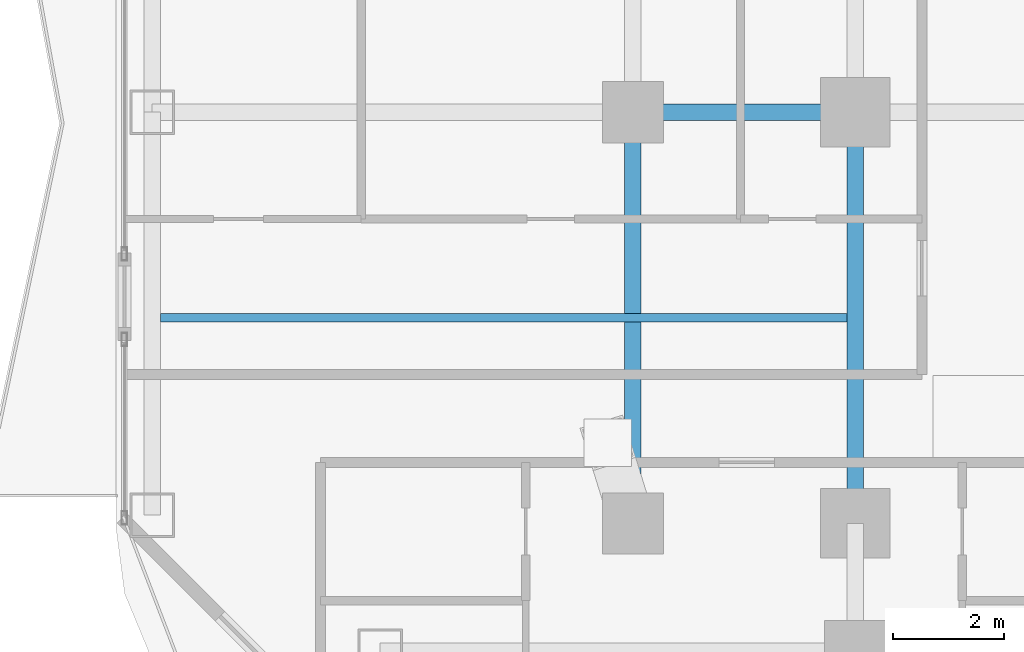
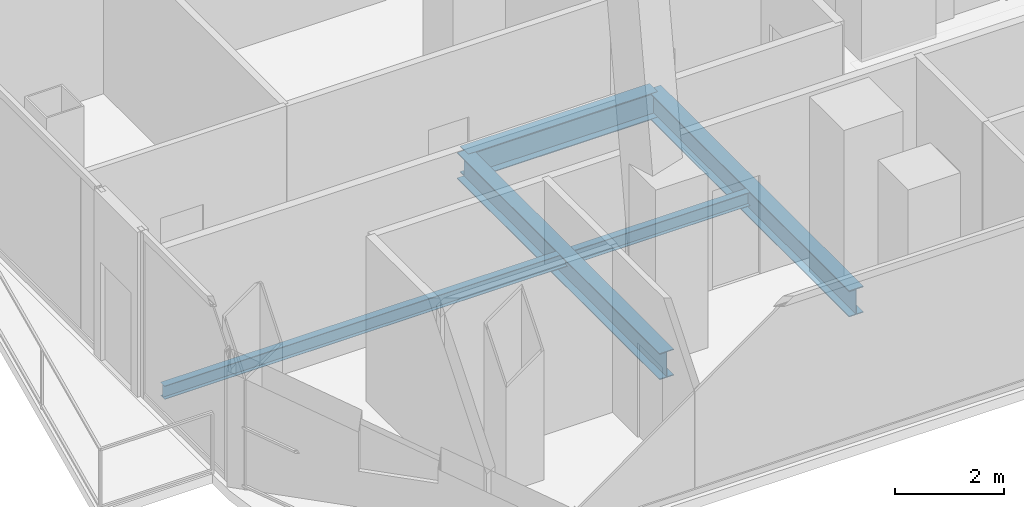
# One storey, part 4 of 32: 4 beams.
"""IFC4 building model written with IfcOpenShell, lengths in metres."""

from ifc_helpers import new_model, si_unit, direction, frame, origin, origin_2d, place, context, subcontext, project, spatial, i_section, extrude, material, material_profile, profile_set, type_object, element, save


model = new_model("IFC4")

# Units and contexts
model_context = context("Model", 3, precision=1e-05, world=origin(), true_north=direction((0.0, 1.0)))
body_context = subcontext(model_context, "Body", "Model", "MODEL_VIEW")
ifc_project = project(units=[si_unit("LENGTHUNIT", "METRE"), si_unit("AREAUNIT", "SQUARE_METRE"), si_unit("VOLUMEUNIT", "CUBIC_METRE"), si_unit("PLANEANGLEUNIT", "RADIAN"), si_unit("MASSUNIT", "GRAM", prefix="KILO")], contexts=[model_context])

# Site, building, storey
site_placement = place(None, origin())
site = spatial("IfcSite", under=ifc_project, at=site_placement, CompositionType="ELEMENT")
building_placement = place(site_placement, origin())
building = spatial("IfcBuilding", under=site, at=building_placement, Name="Khorvyn Point Tower", CompositionType="ELEMENT")
storey_placement = place(building_placement, frame((0.0, 0.0, 93.0)))
storey = spatial("IfcBuildingStorey", under=building, at=storey_placement, Name="L23", CompositionType="ELEMENT", Elevation=93.0)

# Beams
ifc_material = material(Name="Steel S355", Category="steel")
ifc_material_profile_1 = material_profile(ifc_material, i_section(OverallWidth=0.300048828125, OverallDepth=0.587890625, WebThickness=0.011962890625, FlangeThickness=0.02001953125, at=origin_2d()))
ifc_profile_set_1 = profile_set([ifc_material_profile_1], Name="Steel S355 H588x300x12x20")
beam_type_1 = type_object("IfcBeamType", Name="Steel S355 Beam H588x300x12x20", PredefinedType="BEAM", material=ifc_profile_set_1)
beam_1_placement = place(storey_placement, frame((-18.800048828125, -7.39990234375, -0.513916015625), z_axis=(1.0, 0.0, 0.0), x_axis=(0.0, 1.0, 0.0)))
element("IfcBeam", 1, at=beam_1_placement, inside=storey, type_object=beam_type_1, Name="Beam", PredefinedType="BEAM", context=body_context, shape_type="SweptSolid", body=[
    extrude(i_section(OverallWidth=0.300048828125, OverallDepth=0.587890625, WebThickness=0.011962890625, FlangeThickness=0.02001953125, at=origin_2d()), origin(), (0.0, 0.0, 1.0), 4.0),
])
for number, where, z_axis, x_axis, name in (
    (2, (-14.800048828125, -14.800048828125, -0.513916015625), (0.0, 1.0, 0.0), (-1.0, 0.0, 0.0), "Beam"),
    (3, (-18.800048828125, -14.800048828125, -0.513916015625), (0.0, 1.0, 0.0), (-1.0, 0.0, 0.0), "Beam"),
):
    element("IfcBeam", number, at=place(storey_placement, frame(where, z_axis=z_axis, x_axis=x_axis)), inside=storey, type_object=beam_type_1, Name=name, PredefinedType="BEAM", context=body_context, shape_type="SweptSolid", body=[
        extrude(i_section(OverallWidth=0.300048828125, OverallDepth=0.587890625, WebThickness=0.011962890625, FlangeThickness=0.02001953125, at=origin_2d()), origin(), (0.0, 0.0, 1.0), 7.400146484375),
    ])
ifc_material_profile_2 = material_profile(ifc_material, i_section(OverallWidth=0.14990234375, OverallDepth=0.300048828125, WebThickness=0.006591796875, FlangeThickness=0.009033203125, at=origin_2d()))
ifc_profile_set_2 = profile_set([ifc_material_profile_2], Name="Steel S355 H300x150x6.5x9")
beam_type_2 = type_object("IfcBeamType", Name="Steel S355 Joist H300x150x6.5x9", PredefinedType="JOIST", material=ifc_profile_set_2)
beam_2_placement = place(storey_placement, frame((-27.300048828125, -11.10009765625, -0.3701171875), z_axis=(1.0, 0.0, 0.0), x_axis=(0.0, 1.0, 0.0)))
element("IfcBeam", 4, at=beam_2_placement, inside=storey, type_object=beam_type_2, Name="Beam", PredefinedType="JOIST", context=body_context, shape_type="SweptSolid", body=[
    extrude(i_section(OverallWidth=0.14990234375, OverallDepth=0.300048828125, WebThickness=0.006591796875, FlangeThickness=0.009033203125, at=origin_2d()), origin(), (0.0, 0.0, 1.0), 12.35009765625),
])

save(model, "model.ifc")
